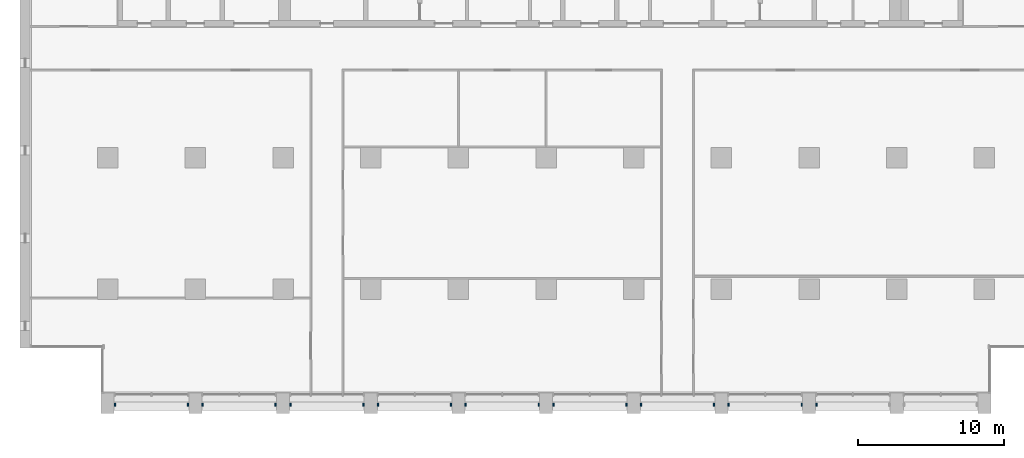
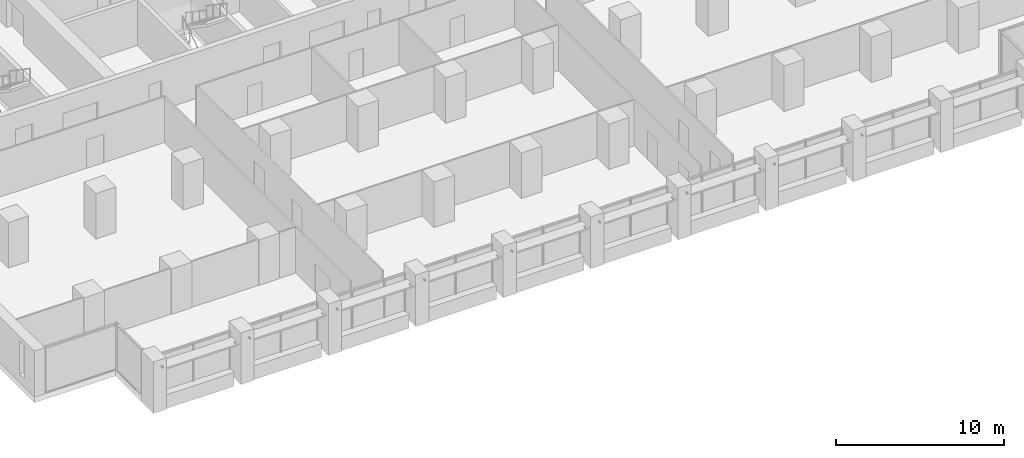
# One storey, part 13 of 15: 17 discrete accessories.
"""IFC4 building model written with IfcOpenShell, lengths in metres."""

from ifc_helpers import new_model, si_unit, direction, frame, origin, origin_2d, place, context, subcontext, project, spatial, rectangle, extrude, element, save


model = new_model("IFC4")

# Units and contexts
model_context = context("Model", 3, precision=1e-05, world=origin(), true_north=direction((0.0, 1.0)))
body_context = subcontext(model_context, "Body", "Model", "MODEL_VIEW")
ifc_project = project(units=[si_unit("LENGTHUNIT", "METRE"), si_unit("AREAUNIT", "SQUARE_METRE"), si_unit("VOLUMEUNIT", "CUBIC_METRE"), si_unit("PLANEANGLEUNIT", "RADIAN"), si_unit("MASSUNIT", "GRAM", prefix="KILO")], contexts=[model_context])

# Site, building, storey
site_placement = place(None, origin())
site = spatial("IfcSite", under=ifc_project, at=site_placement, CompositionType="ELEMENT")
building_placement = place(site_placement, origin())
building = spatial("IfcBuilding", under=site, at=building_placement, Name="Calvaro Tower", CompositionType="ELEMENT")
storey_placement = place(building_placement, frame((0.0, 0.0, 106.25)))
storey = spatial("IfcBuildingStorey", under=building, at=storey_placement, Name="L26", CompositionType="ELEMENT", Elevation=106.25)

# Discrete accessories
for number, where, z_axis, x_axis, name in (
    (1, (6.5, 2.10009765625, 2.25), (0.0, 0.0, 1.0), (1.0, 0.0, 0.0), "Brise-soleil bracket"),
    (2, (11.5, 2.10009765625, 2.25), (0.0, 0.0, 1.0), (1.0, 0.0, 0.0), "Brise-soleil bracket"),
    (3, (12.5, 2.10009765625, 2.25), (0.0, 0.0, 1.0), (1.0, 0.0, 0.0), "Brise-soleil bracket"),
    (4, (17.5, 2.10009765625, 2.25), (0.0, 0.0, 1.0), (1.0, 0.0, 0.0), "Brise-soleil bracket"),
    (5, (18.5, 2.10009765625, 2.25), (0.0, 0.0, 1.0), (1.0, 0.0, 0.0), "Brise-soleil bracket"),
    (6, (23.5, 2.10009765625, 2.25), (0.0, 0.0, 1.0), (1.0, 0.0, 0.0), "Brise-soleil bracket"),
    (7, (24.5, 2.10009765625, 2.25), (0.0, 0.0, 1.0), (1.0, 0.0, 0.0), "Brise-soleil bracket"),
    (8, (29.5, 2.10009765625, 2.25), (0.0, 0.0, 1.0), (1.0, 0.0, 0.0), "Brise-soleil bracket"),
    (9, (30.5, 2.10009765625, 2.25), (0.0, 0.0, 1.0), (1.0, 0.0, 0.0), "Brise-soleil bracket"),
    (10, (35.5, 2.10009765625, 2.25), (0.0, 0.0, 1.0), (1.0, 0.0, 0.0), "Brise-soleil bracket"),
    (11, (36.5, 2.10009765625, 2.25), (0.0, 0.0, 1.0), (1.0, 0.0, 0.0), "Brise-soleil bracket"),
    (12, (41.5, 2.10009765625, 2.25), (0.0, 0.0, 1.0), (1.0, 0.0, 0.0), "Brise-soleil bracket"),
    (13, (42.5, 2.10009765625, 2.25), (0.0, 0.0, 1.0), (1.0, 0.0, 0.0), "Brise-soleil bracket"),
    (14, (47.5, 2.10009765625, 2.25), (0.0, 0.0, 1.0), (1.0, 0.0, 0.0), "Brise-soleil bracket"),
    (15, (48.5, 2.10009765625, 2.25), (0.0, 0.0, 1.0), (1.0, 0.0, 0.0), "Brise-soleil bracket"),
    (16, (53.5, 2.10009765625, 2.25), (0.0, 0.0, 1.0), (1.0, 0.0, 0.0), "Brise-soleil bracket"),
    (17, (54.5, 2.10009765625, 2.25), (0.0, 0.0, 1.0), (1.0, 0.0, 0.0), "Brise-soleil bracket"),
):
    element("IfcDiscreteAccessory", number, at=place(storey_placement, frame(where, z_axis=z_axis, x_axis=x_axis)), inside=storey, Name=name, PredefinedType="BRACKET", context=body_context, shape_type="SweptSolid", body=[
        extrude(rectangle(XDim=0.10009765625, YDim=0.199951171875, at=origin_2d()), origin(), (0.0, 0.0, 1.0), 0.10009765625),
    ])

save(model, "model.ifc")
